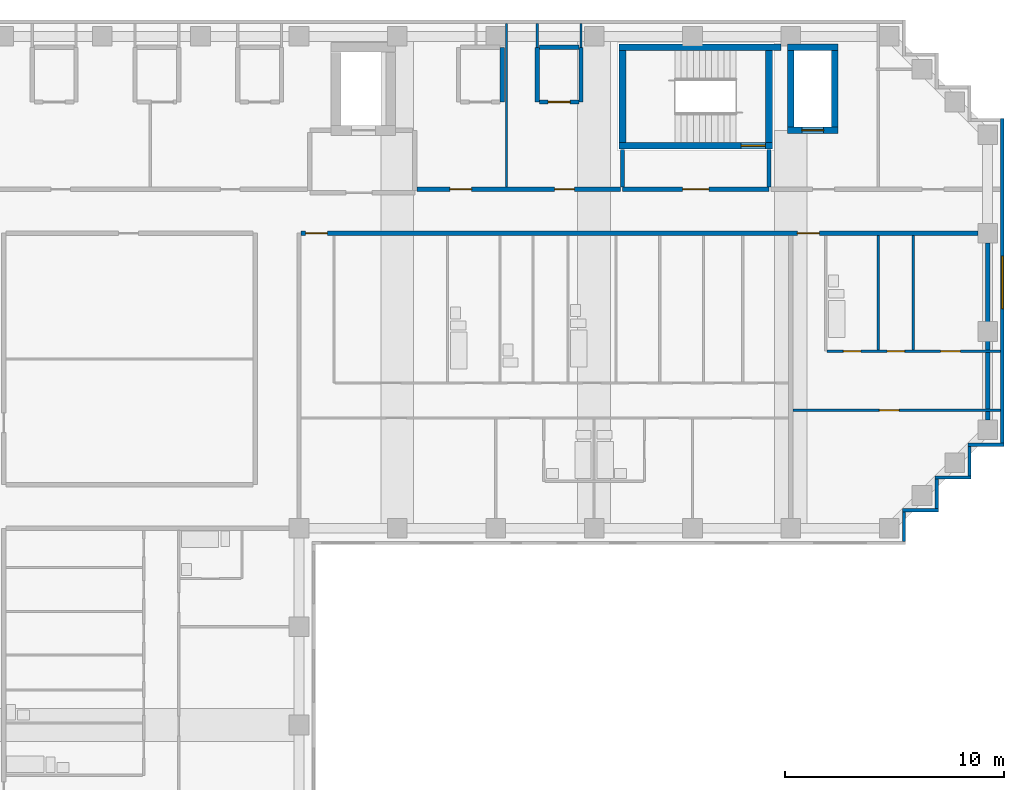
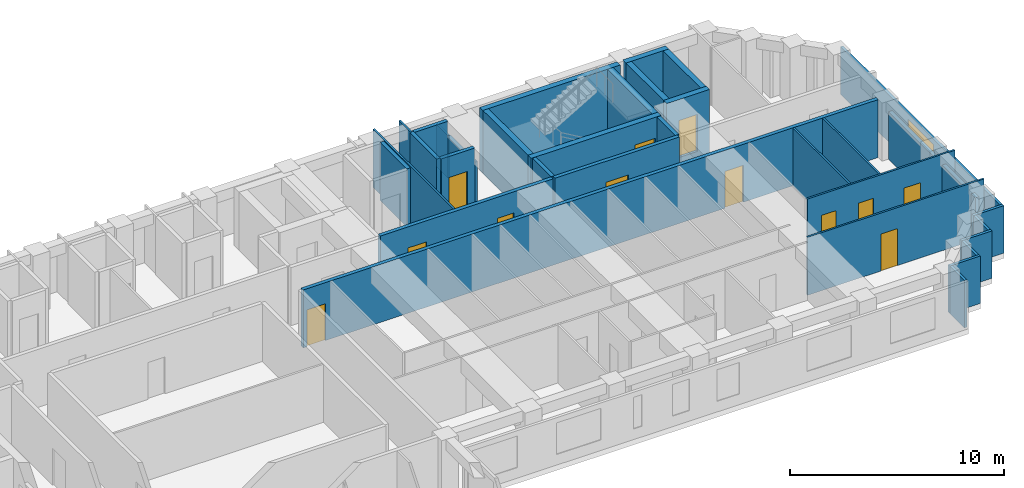
# One storey, part 7 of 10: 33 walls, 12 doors, 1 window, 13 openings.
"""IFC4 building model written with IfcOpenShell, lengths in metres."""

import ifcopenshell
import ifcopenshell.guid

model = None  # the IFC model being written
_history = None  # IfcOwnerHistory: only IFC2X3 demands one
_inside = {}  # id of a spatial element -> (the spatial element, [elements in it])
_under = {}  # id of a project, library or spatial element -> (it, [spatial elements below it])
_declared = {}  # id of a project -> (the project, [libraries it declares])
_typed = {}  # id of a type object -> (the type object, [elements of that type])
_made_of = {}  # id of a material, layer set ... -> (it, [elements and type objects made of it])


def new_model(schema):
    """Start an empty IFC model of exactly this schema.

    Asked for "IFC4X3", IfcOpenShell would pick the latest addendum, in which some entities
    have other attributes; the version numbers below select the first issue.
    IFC2X3 requires an IfcOwnerHistory on every rooted entity: one is made here for all.
    """
    global model, _history
    if schema == "IFC4X3":
        model = ifcopenshell.file(schema_version=(4, 3, 0, 0))
    else:
        model = ifcopenshell.file(schema=schema)
    _inside.clear()
    _under.clear()
    _declared.clear()
    _typed.clear()
    _made_of.clear()
    _history = None
    if model.schema == "IFC2X3":
        org = make("IfcOrganization", Name="unknown")
        user = make(
            "IfcPersonAndOrganization",
            ThePerson=make("IfcPerson", FamilyName="unknown"),
            TheOrganization=org,
        )
        app = make(
            "IfcApplication",
            ApplicationDeveloper=org,
            Version="unknown",
            ApplicationFullName="unknown",
            ApplicationIdentifier="unknown",
        )
        _history = make(
            "IfcOwnerHistory",
            OwningUser=user,
            OwningApplication=app,
            ChangeAction="ADDED",
            CreationDate=0,
        )
    return model


def make(cls, **values):
    """One entity of the class cls with the attributes given. An attribute that is None is left unset."""
    return model.create_entity(
        cls, **{name: value for name, value in values.items() if value is not None}
    )


def rooted(cls, **values):
    """An entity with a GlobalId (a new one), such as an element, a storey or a relation."""
    return make(cls, GlobalId=ifcopenshell.guid.new(), OwnerHistory=_history, **values)


def si_unit(unit_type, name, prefix=None):
    """IfcSIUnit, for example si_unit("LENGTHUNIT", "METRE", prefix="MILLI")."""
    return make("IfcSIUnit", UnitType=unit_type, Prefix=prefix, Name=name)


def assignment(units):
    """IfcUnitAssignment: the units of a project."""
    return None if units is None else make("IfcUnitAssignment", Units=units)


def point(xyz):
    """IfcCartesianPoint."""
    return None if xyz is None else make("IfcCartesianPoint", Coordinates=xyz)


def direction(xyz):
    """IfcDirection."""
    return None if xyz is None else make("IfcDirection", DirectionRatios=xyz)


def frame(location, z_axis=None, x_axis=None):
    """IfcAxis2Placement3D, a coordinate frame: its origin and axes. An axis left out is left unset."""
    return make(
        "IfcAxis2Placement3D",
        Location=point(location),
        Axis=direction(z_axis),
        RefDirection=direction(x_axis),
    )


def frame_2d(location, x_axis=None):
    """IfcAxis2Placement2D, a coordinate frame in the plane: its origin and x axis."""
    return make(
        "IfcAxis2Placement2D", Location=point(location), RefDirection=direction(x_axis)
    )


def origin():
    """The frame at (0, 0, 0) with its axes left unset."""
    return frame((0.0, 0.0, 0.0))


def place(relative_to, where):
    """IfcLocalPlacement: puts the frame where relative to a parent placement (None: the world)."""
    return make(
        "IfcLocalPlacement", PlacementRelTo=relative_to, RelativePlacement=where
    )


def context(
    kind, dimensions, precision=None, world=None, true_north=None, identifier=None
):
    """IfcGeometricRepresentationContext, for example the 3D "Model" context."""
    return make(
        "IfcGeometricRepresentationContext",
        ContextIdentifier=identifier,
        ContextType=kind,
        CoordinateSpaceDimension=dimensions,
        Precision=precision,
        WorldCoordinateSystem=world,
        TrueNorth=true_north,
    )


def subcontext(parent, identifier, kind, view, scale=None):
    """IfcGeometricRepresentationSubContext, for example "Body" below "Model"."""
    return make(
        "IfcGeometricRepresentationSubContext",
        ContextIdentifier=identifier,
        ContextType=kind,
        ParentContext=parent,
        TargetScale=scale,
        TargetView=view,
    )


def project(units=None, contexts=None):
    """IfcProject with its units and contexts."""
    return rooted(
        "IfcProject",
        Name="project",
        RepresentationContexts=contexts,
        UnitsInContext=assignment(units),
    )


def spatial(cls, under=None, at=None, **own):
    """A site, building, storey or space (cls), placed at a placement, below another one or the project."""
    s = rooted(cls, ObjectPlacement=at, **own)
    if under is not None:
        _under.setdefault(under.id(), (under, []))[1].append(s)
    return s


def profile(cls, at=None, kind="AREA", **sizes):
    """A parametric profile (cls). Its sizes go by their IFC names, for example OverallWidth=200.0."""
    return make(cls, ProfileType=kind, Position=at, **sizes)


def rectangle(**sizes):
    """IfcRectangleProfileDef."""
    return profile("IfcRectangleProfileDef", **sizes)


def extrude(swept, where, along, depth):
    """IfcExtrudedAreaSolid: the profile swept, set in the frame where, extruded along a direction by depth."""
    return make(
        "IfcExtrudedAreaSolid",
        SweptArea=swept,
        Position=where,
        ExtrudedDirection=direction(along),
        Depth=depth,
    )


def shape(context_of_items, identifier, shape_type, items):
    """IfcShapeRepresentation: the items that make up one representation, for example the "Body"."""
    return make(
        "IfcShapeRepresentation",
        ContextOfItems=context_of_items,
        RepresentationIdentifier=identifier,
        RepresentationType=shape_type,
        Items=items,
    )


def material(Name=None, Category=None):
    """IfcMaterial."""
    return make("IfcMaterial", Name=Name, Category=Category)


def layer(
    of_material, thickness, ventilated=None, Name=None, Category=None, Priority=None
):
    """IfcMaterialLayer: one layer of a wall or slab, of a material (None: an air gap)."""
    return make(
        "IfcMaterialLayer",
        Material=of_material,
        LayerThickness=thickness,
        IsVentilated=ventilated,
        Name=Name,
        Category=Category,
        Priority=Priority,
    )


def layer_set(layers, Name=None):
    """IfcMaterialLayerSet."""
    return make("IfcMaterialLayerSet", MaterialLayers=layers, LayerSetName=Name)


def made_of(thing, what):
    """Note that an element or type object is made of a material, layer set ...; save() writes the relation."""
    if what is not None:
        _made_of.setdefault(what.id(), (what, []))[1].append(thing)
    return thing


def type_object(cls, material=None, **own):
    """A type object (cls), such as IfcWallType, which elements share."""
    return made_of(rooted(cls, **own), material)


def element(
    cls,
    number,
    at=None,
    inside=None,
    cuts=None,
    type_object=None,
    material=None,
    context=None,
    identifier="Body",
    shape_type=None,
    held_by="IfcProductDefinitionShape",
    body=None,
    shapes=None,
    **own,
):
    """One element of the class cls, such as IfcWall. Its Tag is "e" and its number.

    at: its placement. inside: the storey or other place that contains it. cuts: it is an
    opening in that element (IfcRelVoidsElement). A single representation is given by context,
    identifier, shape_type and body (its items); several are given by shapes. held_by: the class
    of the entity that holds the representations. save() writes the other relations.
    """
    e = rooted(cls, Tag="e%d" % number, ObjectPlacement=at, **own)
    if body is not None:
        shapes = [shape(context, identifier, shape_type, body)]
    if shapes is not None:
        e.Representation = make(held_by, Representations=shapes)
    if inside is not None:
        _inside.setdefault(inside.id(), (inside, []))[1].append(e)
    if cuts is not None:
        rooted(
            "IfcRelVoidsElement", RelatingBuildingElement=cuts, RelatedOpeningElement=e
        )
    if type_object is not None:
        _typed.setdefault(type_object.id(), (type_object, []))[1].append(e)
    return made_of(e, material)


def fill(opening, filler):
    """IfcRelFillsElement: the door or window that sits in an opening."""
    return rooted(
        "IfcRelFillsElement",
        RelatingOpeningElement=opening,
        RelatedBuildingElement=filler,
    )


def aggregate(whole, parts):
    """IfcRelAggregates: a whole, such as a stair, and the parts it consists of."""
    return rooted("IfcRelAggregates", RelatingObject=whole, RelatedObjects=parts)


def save(model, path):
    """Write the relations noted so far, then the file.

    IfcRelAggregates (storeys below a building ...), IfcRelContainedInSpatialStructure (elements
    in a storey), IfcRelDefinesByType, IfcRelAssociatesMaterial and IfcRelDeclares: one each for
    every whole, place, type object, material and project.
    """
    for whole, parts in _under.values():
        aggregate(whole, parts)
    for where, things in _inside.values():
        rooted(
            "IfcRelContainedInSpatialStructure",
            RelatedElements=things,
            RelatingStructure=where,
        )
    for kind, things in _typed.values():
        rooted("IfcRelDefinesByType", RelatedObjects=things, RelatingType=kind)
    for what, things in _made_of.values():
        rooted("IfcRelAssociatesMaterial", RelatedObjects=things, RelatingMaterial=what)
    for by, libraries in _declared.values():
        rooted("IfcRelDeclares", RelatingContext=by, RelatedDefinitions=libraries)
    model.write(path)


model = new_model("IFC4")

# Units and contexts
model_context = context("Model", 3, precision=1e-05, world=origin(), true_north=direction((0.0, 1.0)))
body_context = subcontext(model_context, "Body", "Model", "MODEL_VIEW")
ifc_project = project(units=[si_unit("LENGTHUNIT", "METRE"), si_unit("AREAUNIT", "SQUARE_METRE"), si_unit("VOLUMEUNIT", "CUBIC_METRE"), si_unit("PLANEANGLEUNIT", "RADIAN"), si_unit("MASSUNIT", "GRAM", prefix="KILO")], contexts=[model_context])

# Site, building, storey
site_placement = place(None, origin())
site = spatial("IfcSite", under=ifc_project, at=site_placement, CompositionType="ELEMENT")
building_placement = place(site_placement, origin())
building = spatial("IfcBuilding", under=site, at=building_placement, Name="Firuza Court", CompositionType="ELEMENT")
storey_placement = place(building_placement, frame((0.0, 0.0, 204.199951171875)))
storey = spatial("IfcBuildingStorey", under=building, at=storey_placement, Name="L52", CompositionType="ELEMENT", Elevation=204.199951171875)

# Wall
ifc_material_1 = material(Name="Moisture-resistant gypsum board partition")
ifc_layer_1 = layer(ifc_material_1, 0.10009765625)
ifc_layer_set_1 = layer_set([ifc_layer_1], Name="Moisture-resistant gypsum board partition")
wall_type_1 = type_object("IfcWallType", Name="Bathroom partition 100", PredefinedType="PLUMBINGWALL", material=ifc_layer_set_1)
wall_1_placement = place(storey_placement, frame((49.0, 44.14990234375, 0.0), z_axis=(0.0, 0.0, 1.0), x_axis=(0.0, 1.0, 0.0)))
element("IfcWall", 1, at=wall_1_placement, inside=storey, type_object=wall_type_1, Name="Bathroom partition 100 L52", PredefinedType="PLUMBINGWALL", context=body_context, shape_type="SweptSolid", body=[
    extrude(rectangle(XDim=5.25, YDim=0.10009765625, at=frame_2d((2.625, 0.0))), origin(), (0.0, 0.0, 1.0), 3.300048828125),
])

# Wall, opening, door
ifc_material_2 = material(Name="Concrete C50/60", Category="concrete")
ifc_layer_2 = layer(ifc_material_2, 0.300048828125)
ifc_layer_set_2 = layer_set([ifc_layer_2], Name="Concrete C50/60")
wall_type_2 = type_object("IfcWallType", Name="Core wall 300 C50/60", PredefinedType="SHEAR", material=ifc_layer_set_2)
wall_2_placement = place(storey_placement, frame((37.14990234375, 53.5, -0.300048828125), z_axis=(0.0, 0.0, 1.0), x_axis=(1.0, 0.0, 0.0)))
wall_2 = element("IfcWall", 2, at=wall_2_placement, inside=storey, type_object=wall_type_2, Name="Core wall stair L52", PredefinedType="SHEAR", context=body_context, shape_type="SweptSolid", body=[
    extrude(rectangle(XDim=7.0, YDim=0.300048828125, at=frame_2d((3.5, 0.0))), origin(), (0.0, 0.0, 1.0), 3.60009765625),
])
opening_1_placement = place(wall_2_placement, frame((5.580078125, 0.0, 0.300048828125)))
opening_1 = element("IfcOpeningElement", 3, at=opening_1_placement, cuts=wall_2, Name="Opening D52011", PredefinedType="OPENING", context=body_context, shape_type="SweptSolid", body=[
    extrude(rectangle(XDim=1.10009765625, YDim=2.10009765625, at=frame_2d((0.550048828125, 1.050048828125))), frame((0.0, 0.162109375, 0.0), z_axis=(0.0, -1.0, 0.0), x_axis=(1.0, 0.0, 0.0)), (0.0, 0.0, 1.0), 0.323974609375),
])
ifc_material_3 = material(Name="Timber door leaf in hardwood frame", Category="wood")
door_type_1 = type_object("IfcDoorType", Name="Stair door 1100", OperationType="SINGLE_SWING_LEFT", PredefinedType="DOOR", material=ifc_material_3)
door_1_placement = place(opening_1_placement, origin())
door_1 = element("IfcDoor", 4, at=door_1_placement, inside=storey, type_object=door_type_1, Name="Stair door S1", OperationType="SINGLE_SWING_RIGHT", OverallHeight=2.10009765625, OverallWidth=1.10009765625, PredefinedType="DOOR", context=body_context, shape_type="SweptSolid", body=[
    extrude(rectangle(XDim=1.10009765625, YDim=2.10009765625, at=frame_2d((0.550048828125, 1.050048828125))), frame((0.0, 0.02490234375, 0.0), z_axis=(0.0, -1.0, 0.0), x_axis=(1.0, 0.0, 0.0)), (0.0, 0.0, 1.0), 0.050048828125),
])
fill(opening_1, door_1)

# Walls
wall_3_placement = place(storey_placement, frame((37.14990234375, 58.0, -0.300048828125), z_axis=(0.0, 0.0, 1.0), x_axis=(1.0, 0.0, 0.0)))
element("IfcWall", 5, at=wall_3_placement, inside=storey, type_object=wall_type_2, Name="Core wall stair L52", PredefinedType="SHEAR", context=body_context, shape_type="SweptSolid", body=[
    extrude(rectangle(XDim=7.400146484375, YDim=0.300048828125, at=frame_2d((3.7001953125, 0.0))), origin(), (0.0, 0.0, 1.0), 3.60009765625),
])
for number, where, z_axis, x_axis, name in (
    (6, (37.300048828125, 53.64990234375, -0.300048828125), (0.0, 0.0, 1.0), (0.0, 1.0, 0.0), "Core wall stair L52"),
    (7, (44.0, 53.64990234375, -0.300048828125), (0.0, 0.0, 1.0), (0.0, 1.0, 0.0), "Core wall stair L52"),
):
    element("IfcWall", number, at=place(storey_placement, frame(where, z_axis=z_axis, x_axis=x_axis)), inside=storey, type_object=wall_type_2, Name=name, PredefinedType="SHEAR", context=body_context, shape_type="SweptSolid", body=[
        extrude(rectangle(XDim=4.2001953125, YDim=0.300048828125, at=frame_2d((2.10009765625, 0.0))), origin(), (0.0, 0.0, 1.0), 3.60009765625),
    ])

# Wall, opening, door
wall_4_placement = place(storey_placement, frame((44.85009765625, 54.199951171875, -0.300048828125), z_axis=(0.0, 0.0, 1.0), x_axis=(1.0, 0.0, 0.0)))
wall_4 = element("IfcWall", 8, at=wall_4_placement, inside=storey, type_object=wall_type_2, Name="Core wall riser L52", PredefinedType="SHEAR", context=body_context, shape_type="SweptSolid", body=[
    extrude(rectangle(XDim=2.2998046875, YDim=0.300048828125, at=frame_2d((1.14990234375, 0.0))), origin(), (0.0, 0.0, 1.0), 3.60009765625),
])
opening_2_placement = place(wall_4_placement, frame((0.64990234375, 0.0, 0.300048828125)))
opening_2 = element("IfcOpeningElement", 9, at=opening_2_placement, cuts=wall_4, Name="Opening D52009", PredefinedType="OPENING", context=body_context, shape_type="SweptSolid", body=[
    extrude(rectangle(XDim=1.0, YDim=2.10009765625, at=frame_2d((0.5, 1.050048828125))), frame((0.0, 0.162109375, 0.0), z_axis=(0.0, -1.0, 0.0), x_axis=(1.0, 0.0, 0.0)), (0.0, 0.0, 1.0), 0.323974609375),
])
ifc_material_4 = material(Name="Timber door leaf in hardwood frame", Category="wood")
door_type_2 = type_object("IfcDoorType", Name="Riser door 1000", OperationType="SINGLE_SWING_LEFT", PredefinedType="DOOR", material=ifc_material_4)
door_2_placement = place(opening_2_placement, origin())
door_2 = element("IfcDoor", 10, at=door_2_placement, inside=storey, type_object=door_type_2, Name="Riser door R3", OperationType="SINGLE_SWING_LEFT", OverallHeight=2.10009765625, OverallWidth=1.0, PredefinedType="DOOR", context=body_context, shape_type="SweptSolid", body=[
    extrude(rectangle(XDim=1.0, YDim=2.10009765625, at=frame_2d((0.5, 1.050048828125))), frame((0.0, 0.02490234375, 0.0), z_axis=(0.0, -1.0, 0.0), x_axis=(1.0, 0.0, 0.0)), (0.0, 0.0, 1.0), 0.050048828125),
])
fill(opening_2, door_2)

# Walls
wall_5_placement = place(storey_placement, frame((44.85009765625, 58.0, -0.300048828125), z_axis=(0.0, 0.0, 1.0), x_axis=(1.0, 0.0, 0.0)))
element("IfcWall", 11, at=wall_5_placement, inside=storey, type_object=wall_type_2, Name="Core wall riser L52", PredefinedType="SHEAR", context=body_context, shape_type="SweptSolid", body=[
    extrude(rectangle(XDim=2.2998046875, YDim=0.300048828125, at=frame_2d((1.14990234375, 0.0))), origin(), (0.0, 0.0, 1.0), 3.60009765625),
])
for number, where, z_axis, x_axis, name in (
    (12, (45.0, 54.35009765625, -0.300048828125), (0.0, 0.0, 1.0), (0.0, 1.0, 0.0), "Core wall riser L52"),
    (13, (47.0, 54.35009765625, -0.300048828125), (0.0, 0.0, 1.0), (0.0, 1.0, 0.0), "Core wall riser L52"),
):
    element("IfcWall", number, at=place(storey_placement, frame(where, z_axis=z_axis, x_axis=x_axis)), inside=storey, type_object=wall_type_2, Name=name, PredefinedType="SHEAR", context=body_context, shape_type="SweptSolid", body=[
        extrude(rectangle(XDim=3.5, YDim=0.300048828125, at=frame_2d((1.75, 0.0))), origin(), (0.0, 0.0, 1.0), 3.60009765625),
    ])

# Wall, openings, doors
ifc_material_5 = material(Name="Blockwork, plastered both sides", Category="masonry")
ifc_layer_3 = layer(ifc_material_5, 0.199951171875)
ifc_layer_set_3 = layer_set([ifc_layer_3], Name="Blockwork, plastered both sides")
wall_type_3 = type_object("IfcWallType", Name="Corridor wall 200", PredefinedType="PARTITIONING", material=ifc_layer_set_3)
wall_6_placement = place(storey_placement, frame((22.60009765625, 49.5, 0.0), z_axis=(0.0, 0.0, 1.0), x_axis=(1.0, 0.0, 0.0)))
wall_6 = element("IfcWall", 14, at=wall_6_placement, inside=storey, type_object=wall_type_3, Name="Corridor wall 200 L52", PredefinedType="PARTITIONING", context=body_context, shape_type="SweptSolid", body=[
    extrude(rectangle(XDim=30.949951171875, YDim=0.199951171875, at=frame_2d((15.47509765625, 0.0))), origin(), (0.0, 0.0, 1.0), 3.300048828125),
])
opening_3_placement = place(wall_6_placement, frame((0.199951171875, 0.0, 0.0)))
opening_3 = element("IfcOpeningElement", 15, at=opening_3_placement, cuts=wall_6, Name="Opening D52057", PredefinedType="OPENING", context=body_context, shape_type="SweptSolid", body=[
    extrude(rectangle(XDim=1.0, YDim=2.10009765625, at=frame_2d((0.5, 1.050048828125))), frame((0.0, 0.11181640625, 0.0), z_axis=(0.0, -1.0, 0.0), x_axis=(1.0, 0.0, 0.0)), (0.0, 0.0, 1.0), 0.223876953125),
])
opening_4_placement = place(wall_6_placement, frame((22.699951171875, 0.0, 0.0)))
opening_4 = element("IfcOpeningElement", 16, at=opening_4_placement, cuts=wall_6, Name="Opening D52058", PredefinedType="OPENING", context=body_context, shape_type="SweptSolid", body=[
    extrude(rectangle(XDim=1.0, YDim=2.10009765625, at=frame_2d((0.5, 1.050048828125))), frame((0.0, 0.11181640625, 0.0), z_axis=(0.0, -1.0, 0.0), x_axis=(1.0, 0.0, 0.0)), (0.0, 0.0, 1.0), 0.223876953125),
])
ifc_material_6 = material(Name="Timber door leaf in hardwood frame", Category="wood")
door_type_3 = type_object("IfcDoorType", Name="Flat entrance door 1000", OperationType="SINGLE_SWING_LEFT", PredefinedType="DOOR", material=ifc_material_6)
door_3_placement = place(opening_3_placement, origin())
door_3 = element("IfcDoor", 17, at=door_3_placement, inside=storey, type_object=door_type_3, Name="Flat entrance door", OperationType="SINGLE_SWING_LEFT", OverallHeight=2.10009765625, OverallWidth=1.0, PredefinedType="DOOR", context=body_context, shape_type="SweptSolid", body=[
    extrude(rectangle(XDim=1.0, YDim=2.10009765625, at=frame_2d((0.5, 1.050048828125))), frame((0.0, 0.02490234375, 0.0), z_axis=(0.0, -1.0, 0.0), x_axis=(1.0, 0.0, 0.0)), (0.0, 0.0, 1.0), 0.050048828125),
])
fill(opening_3, door_3)
door_4_placement = place(opening_4_placement, origin())
door_4 = element("IfcDoor", 18, at=door_4_placement, inside=storey, type_object=door_type_3, Name="Flat entrance door", OperationType="SINGLE_SWING_LEFT", OverallHeight=2.10009765625, OverallWidth=1.0, PredefinedType="DOOR", context=body_context, shape_type="SweptSolid", body=[
    extrude(rectangle(XDim=1.0, YDim=2.10009765625, at=frame_2d((0.5, 1.050048828125))), frame((0.0, 0.02490234375, 0.0), z_axis=(0.0, -1.0, 0.0), x_axis=(1.0, 0.0, 0.0)), (0.0, 0.0, 1.0), 0.050048828125),
])
fill(opening_4, door_4)

wall_7_placement = place(storey_placement, frame((27.89990234375, 51.5, 0.0), z_axis=(0.0, 0.0, 1.0), x_axis=(1.0, 0.0, 0.0)))
wall_7 = element("IfcWall", 19, at=wall_7_placement, inside=storey, type_object=wall_type_3, Name="Corridor wall 200 L52", PredefinedType="PARTITIONING", context=body_context, shape_type="SweptSolid", body=[
    extrude(rectangle(XDim=9.300048828125, YDim=0.199951171875, at=frame_2d((4.64990234375, 0.0))), origin(), (0.0, 0.0, 1.0), 3.300048828125),
])
opening_5_placement = place(wall_7_placement, frame((1.5, 0.0, 0.0)))
opening_5 = element("IfcOpeningElement", 20, at=opening_5_placement, cuts=wall_7, Name="Opening D52061", PredefinedType="OPENING", context=body_context, shape_type="SweptSolid", body=[
    extrude(rectangle(XDim=1.0, YDim=2.10009765625, at=frame_2d((0.5, 1.050048828125))), frame((0.0, 0.11181640625, 0.0), z_axis=(0.0, -1.0, 0.0), x_axis=(1.0, 0.0, 0.0)), (0.0, 0.0, 1.0), 0.223876953125),
])
opening_6_placement = place(wall_7_placement, frame((6.300048828125, 0.0, 0.0)))
opening_6 = element("IfcOpeningElement", 21, at=opening_6_placement, cuts=wall_7, Name="Opening D52062", PredefinedType="OPENING", context=body_context, shape_type="SweptSolid", body=[
    extrude(rectangle(XDim=0.89990234375, YDim=2.10009765625, at=frame_2d((0.449951171875, 1.050048828125))), frame((0.0, 0.11181640625, 0.0), z_axis=(0.0, -1.0, 0.0), x_axis=(1.0, 0.0, 0.0)), (0.0, 0.0, 1.0), 0.223876953125),
])
ifc_material_7 = material(Name="Timber door leaf in hardwood frame", Category="wood")
door_type_4 = type_object("IfcDoorType", Name="Room door 900 EI 30", OperationType="SINGLE_SWING_LEFT", PredefinedType="DOOR", material=ifc_material_7)
door_5_placement = place(opening_6_placement, origin())
door_5 = element("IfcDoor", 22, at=door_5_placement, inside=storey, type_object=door_type_4, Name="Concierge room door", OperationType="SINGLE_SWING_LEFT", OverallHeight=2.10009765625, OverallWidth=0.89990234375, PredefinedType="DOOR", context=body_context, shape_type="SweptSolid", body=[
    extrude(rectangle(XDim=0.89990234375, YDim=2.10009765625, at=frame_2d((0.449951171875, 1.050048828125))), frame((0.0, 0.02490234375, 0.0), z_axis=(0.0, -1.0, 0.0), x_axis=(1.0, 0.0, 0.0)), (0.0, 0.0, 1.0), 0.050048828125),
])
fill(opening_6, door_5)
ifc_material_8 = material(Name="Timber door leaf in hardwood frame", Category="wood")
door_type_5 = type_object("IfcDoorType", Name="Store door 1000", OperationType="SINGLE_SWING_LEFT", PredefinedType="DOOR", material=ifc_material_8)
door_6_placement = place(opening_5_placement, origin())
door_6 = element("IfcDoor", 23, at=door_6_placement, inside=storey, type_object=door_type_5, Name="Cleaner's store door", OperationType="SINGLE_SWING_LEFT", OverallHeight=2.10009765625, OverallWidth=1.0, PredefinedType="DOOR", context=body_context, shape_type="SweptSolid", body=[
    extrude(rectangle(XDim=1.0, YDim=2.10009765625, at=frame_2d((0.5, 1.050048828125))), frame((0.0, 0.02490234375, 0.0), z_axis=(0.0, -1.0, 0.0), x_axis=(1.0, 0.0, 0.0)), (0.0, 0.0, 1.0), 0.050048828125),
])
fill(opening_5, door_6)

# Wall, opening, door
ifc_material_9 = material(Name="Timber stud partition, plasterboard both sides", Category="wood")
ifc_layer_4 = layer(ifc_material_9, 0.10009765625)
ifc_layer_set_4 = layer_set([ifc_layer_4], Name="Timber stud partition, plasterboard both sides")
wall_type_4 = type_object("IfcWallType", Name="Partition wall 100", PredefinedType="PARTITIONING", material=ifc_layer_set_4)
wall_8_placement = place(storey_placement, frame((45.10009765625, 41.39990234375, 0.0), z_axis=(0.0, 0.0, 1.0), x_axis=(1.0, 0.0, 0.0)))
wall_8 = element("IfcWall", 24, at=wall_8_placement, inside=storey, type_object=wall_type_4, Name="Partition wall 100 L52", PredefinedType="PARTITIONING", context=body_context, shape_type="SweptSolid", body=[
    extrude(rectangle(XDim=9.5, YDim=0.10009765625, at=frame_2d((4.75, 0.0))), origin(), (0.0, 0.0, 1.0), 3.300048828125),
])
opening_7_placement = place(wall_8_placement, frame((3.949951171875, 0.0, 0.0)))
opening_7 = element("IfcOpeningElement", 25, at=opening_7_placement, cuts=wall_8, Name="Opening D52043", PredefinedType="OPENING", context=body_context, shape_type="SweptSolid", body=[
    extrude(rectangle(XDim=0.89990234375, YDim=2.10009765625, at=frame_2d((0.449951171875, 1.050048828125))), frame((0.0, 0.06201171875, 0.0), z_axis=(0.0, -1.0, 0.0), x_axis=(1.0, 0.0, 0.0)), (0.0, 0.0, 1.0), 0.1240234375),
])
ifc_material_10 = material(Name="Timber door leaf in hardwood frame", Category="wood")
door_type_6 = type_object("IfcDoorType", Name="Room door 900", OperationType="SINGLE_SWING_LEFT", PredefinedType="DOOR", material=ifc_material_10)
door_7_placement = place(opening_7_placement, frame((0.89990234375, 0.0, 0.0), z_axis=(0.0, 0.0, 1.0), x_axis=(-1.0, 0.0, 0.0)))
door_7 = element("IfcDoor", 26, at=door_7_placement, inside=storey, type_object=door_type_6, Name="Studio room door", OperationType="SINGLE_SWING_RIGHT", OverallHeight=2.10009765625, OverallWidth=0.89990234375, PredefinedType="DOOR", context=body_context, shape_type="SweptSolid", body=[
    extrude(rectangle(XDim=0.89990234375, YDim=2.10009765625, at=frame_2d((0.449951171875, 1.050048828125))), frame((0.0, 0.02490234375, 0.0), z_axis=(0.0, -1.0, 0.0), x_axis=(1.0, 0.0, 0.0)), (0.0, 0.0, 1.0), 0.050048828125),
])
fill(opening_7, door_7)

# Wall, openings, doors
wall_9_placement = place(storey_placement, frame((46.64990234375, 44.10009765625, 0.0), z_axis=(0.0, 0.0, 1.0), x_axis=(1.0, 0.0, 0.0)))
wall_9 = element("IfcWall", 27, at=wall_9_placement, inside=storey, type_object=wall_type_4, Name="Partition wall 100 L52", PredefinedType="PARTITIONING", context=body_context, shape_type="SweptSolid", body=[
    extrude(rectangle(XDim=7.9501953125, YDim=0.10009765625, at=frame_2d((3.97509765625, 0.0))), origin(), (0.0, 0.0, 1.0), 3.300048828125),
])
opening_8_placement = place(wall_9_placement, frame((0.75, 0.0, 0.0)))
opening_8 = element("IfcOpeningElement", 28, at=opening_8_placement, cuts=wall_9, Name="Opening D52053", PredefinedType="OPENING", context=body_context, shape_type="SweptSolid", body=[
    extrude(rectangle(XDim=0.800048828125, YDim=2.10009765625, at=frame_2d((0.39990234375, 1.050048828125))), frame((0.0, 0.06201171875, 0.0), z_axis=(0.0, -1.0, 0.0), x_axis=(1.0, 0.0, 0.0)), (0.0, 0.0, 1.0), 0.1240234375),
])
opening_9_placement = place(wall_9_placement, frame((5.199951171875, 0.0, 0.0)))
opening_9 = element("IfcOpeningElement", 29, at=opening_9_placement, cuts=wall_9, Name="Opening D52054", PredefinedType="OPENING", context=body_context, shape_type="SweptSolid", body=[
    extrude(rectangle(XDim=0.89990234375, YDim=2.10009765625, at=frame_2d((0.449951171875, 1.050048828125))), frame((0.0, 0.06201171875, 0.0), z_axis=(0.0, -1.0, 0.0), x_axis=(1.0, 0.0, 0.0)), (0.0, 0.0, 1.0), 0.1240234375),
])
opening_10_placement = place(wall_9_placement, frame((2.75, 0.0, 0.0)))
opening_10 = element("IfcOpeningElement", 30, at=opening_10_placement, cuts=wall_9, Name="Opening D52055", PredefinedType="OPENING", context=body_context, shape_type="SweptSolid", body=[
    extrude(rectangle(XDim=0.800048828125, YDim=2.10009765625, at=frame_2d((0.39990234375, 1.050048828125))), frame((0.0, 0.06201171875, 0.0), z_axis=(0.0, -1.0, 0.0), x_axis=(1.0, 0.0, 0.0)), (0.0, 0.0, 1.0), 0.1240234375),
])
ifc_material_11 = material(Name="Timber door leaf in hardwood frame", Category="wood")
door_type_7 = type_object("IfcDoorType", Name="Bathroom door 800", OperationType="SINGLE_SWING_LEFT", PredefinedType="DOOR", material=ifc_material_11)
door_8_placement = place(opening_8_placement, origin())
door_8 = element("IfcDoor", 31, at=door_8_placement, inside=storey, type_object=door_type_7, Name="Bathroom door", OperationType="SINGLE_SWING_LEFT", OverallHeight=2.10009765625, OverallWidth=0.800048828125, PredefinedType="DOOR", context=body_context, shape_type="SweptSolid", body=[
    extrude(rectangle(XDim=0.800048828125, YDim=2.10009765625, at=frame_2d((0.39990234375, 1.050048828125))), frame((0.0, 0.02490234375, 0.0), z_axis=(0.0, -1.0, 0.0), x_axis=(1.0, 0.0, 0.0)), (0.0, 0.0, 1.0), 0.050048828125),
])
fill(opening_8, door_8)
ifc_material_12 = material(Name="Timber door leaf in hardwood frame", Category="wood")
door_type_8 = type_object("IfcDoorType", Name="Room door 800", OperationType="SINGLE_SWING_LEFT", PredefinedType="DOOR", material=ifc_material_12)
door_9_placement = place(opening_10_placement, origin())
door_9 = element("IfcDoor", 32, at=door_9_placement, inside=storey, type_object=door_type_8, Name="Store door", OperationType="SINGLE_SWING_LEFT", OverallHeight=2.10009765625, OverallWidth=0.800048828125, PredefinedType="DOOR", context=body_context, shape_type="SweptSolid", body=[
    extrude(rectangle(XDim=0.800048828125, YDim=2.10009765625, at=frame_2d((0.39990234375, 1.050048828125))), frame((0.0, 0.02490234375, 0.0), z_axis=(0.0, -1.0, 0.0), x_axis=(1.0, 0.0, 0.0)), (0.0, 0.0, 1.0), 0.050048828125),
])
fill(opening_10, door_9)
door_10_placement = place(opening_9_placement, origin())
door_10 = element("IfcDoor", 33, at=door_10_placement, inside=storey, type_object=door_type_6, Name="Kitchen door", OperationType="SINGLE_SWING_LEFT", OverallHeight=2.10009765625, OverallWidth=0.89990234375, PredefinedType="DOOR", context=body_context, shape_type="SweptSolid", body=[
    extrude(rectangle(XDim=0.89990234375, YDim=2.10009765625, at=frame_2d((0.449951171875, 1.050048828125))), frame((0.0, 0.02490234375, 0.0), z_axis=(0.0, -1.0, 0.0), x_axis=(1.0, 0.0, 0.0)), (0.0, 0.0, 1.0), 0.050048828125),
])
fill(opening_9, door_10)

# Walls
wall_10_placement = place(storey_placement, frame((50.60009765625, 44.14990234375, 0.0), z_axis=(0.0, 0.0, 1.0), x_axis=(0.0, 1.0, 0.0)))
element("IfcWall", 34, at=wall_10_placement, inside=storey, type_object=wall_type_4, Name="Partition wall 100 L52", PredefinedType="PARTITIONING", context=body_context, shape_type="SweptSolid", body=[
    extrude(rectangle(XDim=5.25, YDim=0.10009765625, at=frame_2d((2.625, 0.0))), origin(), (0.0, 0.0, 1.0), 3.300048828125),
])
wall_11_placement = place(storey_placement, frame((32.0, 51.60009765625, 0.0), z_axis=(0.0, 0.0, 1.0), x_axis=(0.0, 1.0, 0.0)))
element("IfcWall", 35, at=wall_11_placement, inside=storey, type_object=wall_type_4, Name="Partition wall 100 L52", PredefinedType="PARTITIONING", context=body_context, shape_type="SweptSolid", body=[
    extrude(rectangle(XDim=7.5, YDim=0.10009765625, at=frame_2d((3.75, 0.0))), origin(), (0.0, 0.0, 1.0), 3.300048828125),
])
wall_12_placement = place(storey_placement, frame((33.39990234375, 58.0, 0.0), z_axis=(0.0, 0.0, 1.0), x_axis=(0.0, 1.0, 0.0)))
element("IfcWall", 36, at=wall_12_placement, inside=storey, type_object=wall_type_4, Name="Partition wall 100 L52", PredefinedType="PARTITIONING", context=body_context, shape_type="SweptSolid", body=[
    extrude(rectangle(XDim=1.10009765625, YDim=0.10009765625, at=frame_2d((0.550048828125, 0.0))), origin(), (0.0, 0.0, 1.0), 3.300048828125),
])
wall_13_placement = place(storey_placement, frame((35.39990234375, 58.0, 0.0), z_axis=(0.0, 0.0, 1.0), x_axis=(0.0, 1.0, 0.0)))
element("IfcWall", 37, at=wall_13_placement, inside=storey, type_object=wall_type_4, Name="Partition wall 100 L52", PredefinedType="PARTITIONING", context=body_context, shape_type="SweptSolid", body=[
    extrude(rectangle(XDim=1.10009765625, YDim=0.10009765625, at=frame_2d((0.550048828125, 0.0))), origin(), (0.0, 0.0, 1.0), 2.400146484375),
])
ifc_layer_5 = layer(ifc_material_5, 0.199951171875)
ifc_layer_set_5 = layer_set([ifc_layer_5], Name="Blockwork, plastered both sides")
wall_type_5 = type_object("IfcWallType", Name="Party wall 200", PredefinedType="PARTITIONING", material=ifc_layer_set_5)
wall_14_placement = place(storey_placement, frame((54.0, 40.949951171875, 0.0), z_axis=(0.0, 0.0, 1.0), x_axis=(0.0, 1.0, 0.0)))
element("IfcWall", 38, at=wall_14_placement, inside=storey, type_object=wall_type_5, Name="Party wall 200 L52", PredefinedType="PARTITIONING", context=body_context, shape_type="SweptSolid", body=[
    extrude(rectangle(XDim=8.10009765625, YDim=0.199951171875, at=frame_2d((4.050048828125, 0.0))), origin(), (0.0, 0.0, 1.0), 2.699951171875),
])
ifc_material_13 = material(Name="Blockwork, fire-rated", Category="masonry")
ifc_layer_6 = layer(ifc_material_13, 0.199951171875)
ifc_layer_set_6 = layer_set([ifc_layer_6], Name="Blockwork, fire-rated")
wall_type_6 = type_object("IfcWallType", Name="Plant room wall 200", PredefinedType="PARTITIONING", material=ifc_layer_set_6)
for number, where, z_axis, x_axis, name in (
    (39, (31.800048828125, 55.5, 0.0), (0.0, 0.0, 1.0), (0.0, 1.0, 0.0), "Plant room wall 200 L52"),
    (40, (33.39990234375, 55.5, 0.0), (0.0, 0.0, 1.0), (0.0, 1.0, 0.0), "Plant room wall 200 L52"),
):
    element("IfcWall", number, at=place(storey_placement, frame(where, z_axis=z_axis, x_axis=x_axis)), inside=storey, type_object=wall_type_6, Name=name, PredefinedType="PARTITIONING", context=body_context, shape_type="SweptSolid", body=[
        extrude(rectangle(XDim=2.5, YDim=0.199951171875, at=frame_2d((1.25, 0.0))), origin(), (0.0, 0.0, 1.0), 3.300048828125),
    ])

# Wall, opening, door
wall_15_placement = place(storey_placement, frame((33.5, 55.5, 0.0), z_axis=(0.0, 0.0, 1.0), x_axis=(1.0, 0.0, 0.0)))
wall_15 = element("IfcWall", 41, at=wall_15_placement, inside=storey, type_object=wall_type_6, Name="Plant room wall 200 L52", PredefinedType="PARTITIONING", context=body_context, shape_type="SweptSolid", body=[
    extrude(rectangle(XDim=1.800048828125, YDim=0.199951171875, at=frame_2d((0.89990234375, 0.0))), origin(), (0.0, 0.0, 1.0), 3.300048828125),
])
opening_11_placement = place(wall_15_placement, frame((0.39990234375, 0.0, 0.0)))
opening_11 = element("IfcOpeningElement", 42, at=opening_11_placement, cuts=wall_15, Name="Opening D52069", PredefinedType="OPENING", context=body_context, shape_type="SweptSolid", body=[
    extrude(rectangle(XDim=1.0, YDim=2.10009765625, at=frame_2d((0.5, 1.050048828125))), frame((0.0, 0.11181640625, 0.0), z_axis=(0.0, -1.0, 0.0), x_axis=(1.0, 0.0, 0.0)), (0.0, 0.0, 1.0), 0.223876953125),
])
door_11_placement = place(opening_11_placement, origin())
door_11 = element("IfcDoor", 43, at=door_11_placement, inside=storey, type_object=door_type_2, Name="Duct riser door", OperationType="SINGLE_SWING_LEFT", OverallHeight=2.10009765625, OverallWidth=1.0, PredefinedType="DOOR", context=body_context, shape_type="SweptSolid", body=[
    extrude(rectangle(XDim=1.0, YDim=2.10009765625, at=frame_2d((0.5, 1.050048828125))), frame((0.0, 0.02490234375, 0.0), z_axis=(0.0, -1.0, 0.0), x_axis=(1.0, 0.0, 0.0)), (0.0, 0.0, 1.0), 0.050048828125),
])
fill(opening_11, door_11)

# Walls
wall_16_placement = place(storey_placement, frame((35.39990234375, 55.5, 0.0), z_axis=(0.0, 0.0, 1.0), x_axis=(0.0, 1.0, 0.0)))
element("IfcWall", 44, at=wall_16_placement, inside=storey, type_object=wall_type_6, Name="Plant room wall 200 L52", PredefinedType="PARTITIONING", context=body_context, shape_type="SweptSolid", body=[
    extrude(rectangle(XDim=2.5, YDim=0.199951171875, at=frame_2d((1.25, 0.0))), origin(), (0.0, 0.0, 1.0), 2.400146484375),
])
wall_17_placement = place(storey_placement, frame((33.5, 58.0, 0.0), z_axis=(0.0, 0.0, 1.0), x_axis=(1.0, 0.0, 0.0)))
element("IfcWall", 45, at=wall_17_placement, inside=storey, type_object=wall_type_6, Name="Plant room wall 200 L52", PredefinedType="PARTITIONING", context=body_context, shape_type="SweptSolid", body=[
    extrude(rectangle(XDim=1.800048828125, YDim=0.199951171875, at=frame_2d((0.89990234375, 0.0))), origin(), (0.0, 0.0, 1.0), 3.300048828125),
])
ifc_material_14 = material(Name="Ceramic tile", Category="ceramic")
ifc_layer_7 = layer(ifc_material_14, 0.02001953125)
ifc_material_15 = material(Name="Mineral wool insulation", Category="insulation")
ifc_layer_8 = layer(ifc_material_15, 0.050048828125)
ifc_material_16 = material(Name="Concrete C40/50 precast", Category="concrete")
ifc_layer_9 = layer(ifc_material_16, 0.080078125)
ifc_layer_set_7 = layer_set([ifc_layer_7, ifc_layer_8, ifc_layer_9], Name="Concrete C40/50 precast")
wall_type_7 = type_object("IfcWallType", Name="Precast cladding wall with turquoise TILE PANEL face 150", PredefinedType="STANDARD", material=ifc_layer_set_7)
wall_18_placement = place(storey_placement, frame((50.175048828125, 35.39990234375, 0.0), z_axis=(0.0, 0.0, 1.0), x_axis=(0.0, 1.0, 0.0)))
element("IfcWall", 46, at=wall_18_placement, inside=storey, type_object=wall_type_7, Name="Facade wall L52 E", PredefinedType="STANDARD", context=body_context, shape_type="SweptSolid", body=[
    extrude(rectangle(XDim=1.35009765625, YDim=0.14990234375, at=frame_2d((0.675048828125, 0.0))), origin(), (0.0, 0.0, 1.0), 2.699951171875),
])
wall_19_placement = place(storey_placement, frame((50.10009765625, 36.824951171875, 0.0), z_axis=(0.0, 0.0, 1.0), x_axis=(1.0, 0.0, 0.0)))
element("IfcWall", 47, at=wall_19_placement, inside=storey, type_object=wall_type_7, Name="Facade wall L52 S", PredefinedType="STANDARD", context=body_context, shape_type="SweptSolid", body=[
    extrude(rectangle(XDim=1.64990234375, YDim=0.14990234375, at=frame_2d((0.824951171875, 0.0))), origin(), (0.0, 0.0, 1.0), 2.699951171875),
])
wall_20_placement = place(storey_placement, frame((51.675048828125, 36.89990234375, 0.0), z_axis=(0.0, 0.0, 1.0), x_axis=(0.0, 1.0, 0.0)))
element("IfcWall", 48, at=wall_20_placement, inside=storey, type_object=wall_type_7, Name="Facade wall L52 E", PredefinedType="STANDARD", context=body_context, shape_type="SweptSolid", body=[
    extrude(rectangle(XDim=1.35009765625, YDim=0.14990234375, at=frame_2d((0.675048828125, 0.0))), origin(), (0.0, 0.0, 1.0), 2.699951171875),
])
wall_21_placement = place(storey_placement, frame((51.60009765625, 38.324951171875, 0.0), z_axis=(0.0, 0.0, 1.0), x_axis=(1.0, 0.0, 0.0)))
element("IfcWall", 49, at=wall_21_placement, inside=storey, type_object=wall_type_7, Name="Facade wall L52 S", PredefinedType="STANDARD", context=body_context, shape_type="SweptSolid", body=[
    extrude(rectangle(XDim=1.64990234375, YDim=0.14990234375, at=frame_2d((0.824951171875, 0.0))), origin(), (0.0, 0.0, 1.0), 2.699951171875),
])
wall_22_placement = place(storey_placement, frame((53.175048828125, 38.39990234375, 0.0), z_axis=(0.0, 0.0, 1.0), x_axis=(0.0, 1.0, 0.0)))
element("IfcWall", 50, at=wall_22_placement, inside=storey, type_object=wall_type_7, Name="Facade wall L52 E", PredefinedType="STANDARD", context=body_context, shape_type="SweptSolid", body=[
    extrude(rectangle(XDim=1.35009765625, YDim=0.14990234375, at=frame_2d((0.675048828125, 0.0))), origin(), (0.0, 0.0, 1.0), 2.699951171875),
])
wall_23_placement = place(storey_placement, frame((53.10009765625, 39.824951171875, 0.0), z_axis=(0.0, 0.0, 1.0), x_axis=(1.0, 0.0, 0.0)))
element("IfcWall", 51, at=wall_23_placement, inside=storey, type_object=wall_type_7, Name="Facade wall L52 S", PredefinedType="STANDARD", context=body_context, shape_type="SweptSolid", body=[
    extrude(rectangle(XDim=1.64990234375, YDim=0.14990234375, at=frame_2d((0.824951171875, 0.0))), origin(), (0.0, 0.0, 1.0), 2.699951171875),
])

# Wall, opening, window
wall_24_placement = place(storey_placement, frame((54.675048828125, 39.89990234375, 0.0), z_axis=(0.0, 0.0, 1.0), x_axis=(0.0, 1.0, 0.0)))
wall_24 = element("IfcWall", 52, at=wall_24_placement, inside=storey, type_object=wall_type_7, Name="Facade wall L52 E", PredefinedType="STANDARD", context=body_context, shape_type="SweptSolid", body=[
    extrude(rectangle(XDim=14.85009765625, YDim=0.14990234375, at=frame_2d((7.425048828125, 0.0))), origin(), (0.0, 0.0, 1.0), 2.699951171875),
])
opening_12_placement = place(wall_24_placement, frame((6.14990234375, 0.0, 0.60009765625)))
opening_12 = element("IfcOpeningElement", 53, at=opening_12_placement, cuts=wall_24, Name="Opening W1", PredefinedType="OPENING", context=body_context, shape_type="SweptSolid", body=[
    extrude(rectangle(XDim=2.39990234375, YDim=1.800048828125, at=frame_2d((1.199951171875, 0.89990234375))), frame((0.0, 0.0869140625, 0.0), z_axis=(0.0, -1.0, 0.0), x_axis=(1.0, 0.0, 0.0)), (0.0, 0.0, 1.0), 0.173828125),
])
ifc_material_17 = material(Name="Aluminium frame, triple clear glazing", Category="aluminium")
window_type = type_object("IfcWindowType", Name="Window W1 2400 x 1800", PartitioningType="SINGLE_PANEL", PredefinedType="WINDOW", material=ifc_material_17)
window_placement = place(opening_12_placement, origin())
window = element("IfcWindow", 54, at=window_placement, inside=storey, type_object=window_type, Name="Window L52", OverallHeight=1.800048828125, OverallWidth=2.39990234375, PartitioningType="SINGLE_PANEL", PredefinedType="WINDOW", context=body_context, shape_type="SweptSolid", body=[
    extrude(rectangle(XDim=2.39990234375, YDim=1.800048828125, at=frame_2d((1.199951171875, 0.89990234375))), frame((0.0, 0.030029296875, 0.0), z_axis=(0.0, -1.0, 0.0), x_axis=(1.0, 0.0, 0.0)), (0.0, 0.0, 1.0), 0.06005859375),
])
fill(opening_12, window)

# Wall, opening, door
ifc_layer_10 = layer(ifc_material_13, 0.199951171875)
ifc_layer_set_8 = layer_set([ifc_layer_10], Name="Blockwork, fire-rated")
wall_type_8 = type_object("IfcWallType", Name="Shaft wall 200", PredefinedType="PARTITIONING", material=ifc_layer_set_8)
wall_25_placement = place(storey_placement, frame((37.300048828125, 51.5, 0.0), z_axis=(0.0, 0.0, 1.0), x_axis=(1.0, 0.0, 0.0)))
wall_25 = element("IfcWall", 55, at=wall_25_placement, inside=storey, type_object=wall_type_8, Name="Shaft wall 200 L52", PredefinedType="PARTITIONING", context=body_context, shape_type="SweptSolid", body=[
    extrude(rectangle(XDim=6.699951171875, YDim=0.199951171875, at=frame_2d((3.35009765625, 0.0))), origin(), (0.0, 0.0, 1.0), 3.300048828125),
])
opening_13_placement = place(wall_25_placement, frame((2.75, 0.0, 0.0)))
opening_13 = element("IfcOpeningElement", 56, at=opening_13_placement, cuts=wall_25, Name="Opening D52006", PredefinedType="OPENING", context=body_context, shape_type="SweptSolid", body=[
    extrude(rectangle(XDim=1.199951171875, YDim=2.10009765625, at=frame_2d((0.60009765625, 1.050048828125))), frame((0.0, 0.11181640625, 0.0), z_axis=(0.0, -1.0, 0.0), x_axis=(1.0, 0.0, 0.0)), (0.0, 0.0, 1.0), 0.223876953125),
])
ifc_material_18 = material(Name="Timber door leaf in hardwood frame", Category="wood")
door_type_9 = type_object("IfcDoorType", Name="Lobby door 1200", OperationType="SINGLE_SWING_LEFT", PredefinedType="DOOR", material=ifc_material_18)
door_12_placement = place(opening_13_placement, origin())
door_12 = element("IfcDoor", 57, at=door_12_placement, inside=storey, type_object=door_type_9, Name="Lobby door", OperationType="SINGLE_SWING_LEFT", OverallHeight=2.10009765625, OverallWidth=1.199951171875, PredefinedType="DOOR", context=body_context, shape_type="SweptSolid", body=[
    extrude(rectangle(XDim=1.199951171875, YDim=2.10009765625, at=frame_2d((0.60009765625, 1.050048828125))), frame((0.0, 0.02490234375, 0.0), z_axis=(0.0, -1.0, 0.0), x_axis=(1.0, 0.0, 0.0)), (0.0, 0.0, 1.0), 0.050048828125),
])
fill(opening_13, door_12)

# Walls
for number, where, z_axis, x_axis, name in (
    (58, (44.0, 51.60009765625, 0.0), (0.0, 0.0, 1.0), (0.0, 1.0, 0.0), "Shaft wall 200 L52"),
    (59, (37.300048828125, 51.60009765625, 0.0), (0.0, 0.0, 1.0), (0.0, 1.0, 0.0), "Shaft wall 200 L52"),
):
    element("IfcWall", number, at=place(storey_placement, frame(where, z_axis=z_axis, x_axis=x_axis)), inside=storey, type_object=wall_type_8, Name=name, PredefinedType="PARTITIONING", context=body_context, shape_type="SweptSolid", body=[
        extrude(rectangle(XDim=1.72998046875, YDim=0.199951171875, at=frame_2d((0.864990234375, 0.0))), origin(), (0.0, 0.0, 1.0), 3.300048828125),
    ])

save(model, "model.ifc")
